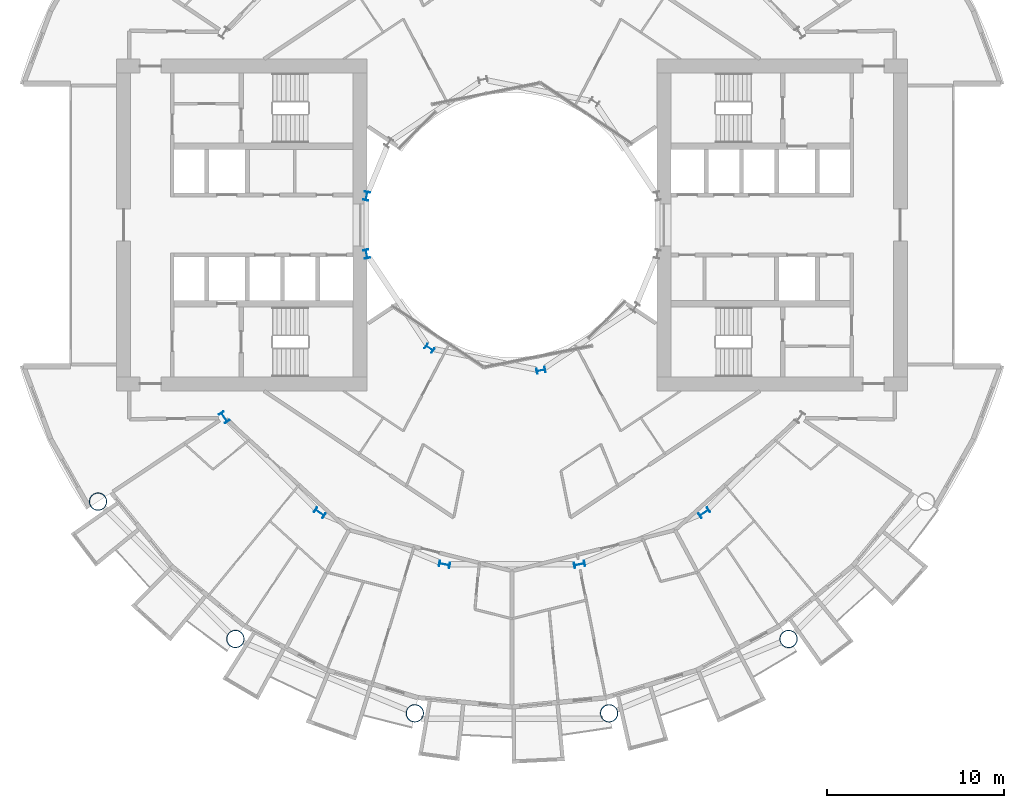
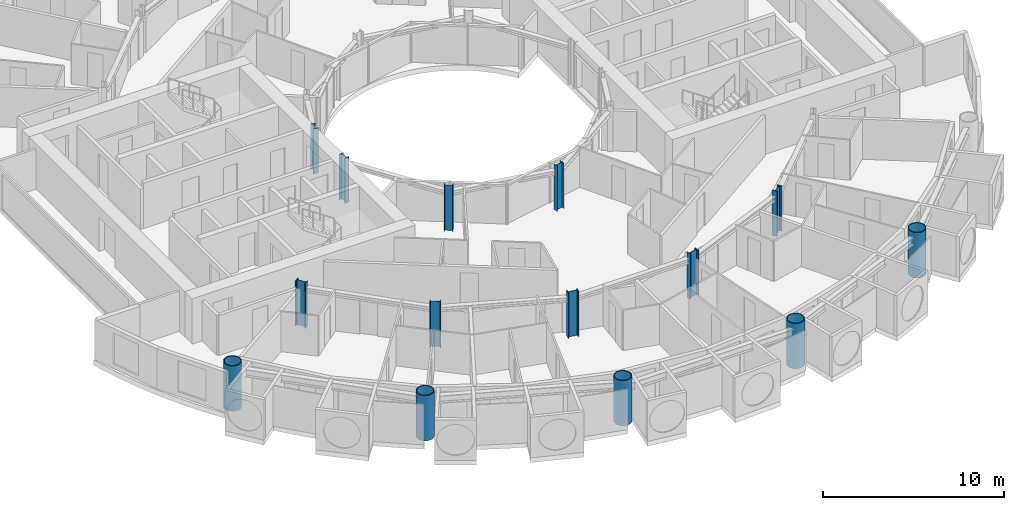
# One storey, part 1 of 26: 14 columns.
"""IFC4 building model written with IfcOpenShell, lengths in metres."""

from ifc_helpers import new_model, si_unit, direction, frame, origin, origin_2d, place, context, subcontext, project, spatial, hollow_circle, i_section, extrude, material, material_profile, profile_set, type_object, element, save


model = new_model("IFC4")

# Units and contexts
model_context = context("Model", 3, precision=1e-05, world=origin(), true_north=direction((0.0, 1.0)))
body_context = subcontext(model_context, "Body", "Model", "MODEL_VIEW")
ifc_project = project(units=[si_unit("LENGTHUNIT", "METRE"), si_unit("AREAUNIT", "SQUARE_METRE"), si_unit("VOLUMEUNIT", "CUBIC_METRE"), si_unit("PLANEANGLEUNIT", "RADIAN"), si_unit("MASSUNIT", "GRAM", prefix="KILO")], contexts=[model_context])

# Site, building, storey
site_placement = place(None, origin())
site = spatial("IfcSite", under=ifc_project, at=site_placement, CompositionType="ELEMENT")
building_placement = place(site_placement, origin())
building = spatial("IfcBuilding", under=site, at=building_placement, Name="Maasbend Ring Residences", CompositionType="ELEMENT")
storey_placement = place(building_placement, frame((0.0, 0.0, 28.89990234375)))
storey = spatial("IfcBuildingStorey", under=building, at=storey_placement, Name="L07", CompositionType="ELEMENT", Elevation=28.89990234375)

# Columns
ifc_material_1 = material(Name="Composite concrete-filled steel tube S460NH / C80/95", Category="concrete")
ifc_material_profile_1 = material_profile(ifc_material_1, hollow_circle(Radius=0.508056640625, WallThickness=0.050048828125, at=origin_2d()), Name="Composite tube column CHS 1016x50")
ifc_profile_set_1 = profile_set([ifc_material_profile_1], Name="Composite concrete-filled steel tube S460NH / C80/95")
column_type_1 = type_object("IfcColumnType", Name="Composite tube column CHS 1016x50", PredefinedType="COLUMN", material=ifc_profile_set_1)
for number, where, z_axis, x_axis, name in (
    (1, (-23.447509765625, -15.6669921875, 0.0), (0.0, 0.0, 1.0), (1.0, 0.0, 0.0), "Outer column R10"),
    (2, (-15.6669921875, -23.447509765625, 0.0), (0.0, 0.0, 1.0), (1.0, 0.0, 0.0), "Outer column R11"),
    (3, (-5.50146484375, -27.658203125, 0.0), (0.0, 0.0, 1.0), (1.0, 0.0, 0.0), "Outer column R12"),
    (4, (5.50146484375, -27.658203125, 0.0), (0.0, 0.0, 1.0), (1.0, 0.0, 0.0), "Outer column R13"),
    (5, (15.6669921875, -23.447509765625, 0.0), (0.0, 0.0, 1.0), (1.0, 0.0, 0.0), "Outer column R14"),
):
    element("IfcColumn", number, at=place(storey_placement, frame(where, z_axis=z_axis, x_axis=x_axis)), inside=storey, type_object=column_type_1, Name=name, PredefinedType="COLUMN", context=body_context, shape_type="SweptSolid", body=[
        extrude(hollow_circle(Radius=0.508056640625, WallThickness=0.050048828125, at=origin_2d()), origin(), (0.0, 0.0, 1.0), 3.050048828125),
    ])
ifc_material_2 = material(Name="Steel S355J2", Category="steel")
ifc_material_profile_2 = material_profile(ifc_material_2, i_section(OverallWidth=0.300048828125, OverallDepth=0.5, WebThickness=0.014404296875, FlangeThickness=0.028076171875, FilletRadius=0.027099609375, at=origin_2d()), Name="HEB 500")
ifc_profile_set_2 = profile_set([ifc_material_profile_2], Name="Steel S355J2")
column_type_2 = type_object("IfcColumnType", Name="Steel column HEB 500", PredefinedType="COLUMN", material=ifc_profile_set_2)
for number, where, z_axis, x_axis, name in (
    (6, (-8.238525390625, 1.638916015625, 0.0), (0.0, 0.0, 1.0), (-0.980785280403, 0.195090322016, 0.0), "Well ring column R8"),
    (7, (-8.238525390625, -1.638916015625, 0.0), (0.0, 0.0, 1.0), (-0.980785280403, -0.195090322016, 0.0), "Well ring column R9"),
    (8, (-4.666748046875, -6.984375, 0.0), (0.0, 0.0, 1.0), (-0.55557023302, -0.831469612303, 0.0), "Well ring column R11"),
    (9, (1.638916015625, -8.238525390625, 0.0), (0.0, 0.0, 1.0), (0.195090322016, -0.980785280403, 0.0), "Well ring column R13"),
):
    element("IfcColumn", number, at=place(storey_placement, frame(where, z_axis=z_axis, x_axis=x_axis)), inside=storey, type_object=column_type_2, Name=name, PredefinedType="COLUMN", context=body_context, shape_type="SweptSolid", body=[
        extrude(i_section(OverallWidth=0.300048828125, OverallDepth=0.5, WebThickness=0.014404296875, FlangeThickness=0.028076171875, FilletRadius=0.027099609375, at=origin_2d()), origin(), (0.0, 0.0, 1.0), 3.050048828125),
    ])
ifc_material_3 = material(Name="Steel S460M", Category="steel")
ifc_material_profile_3 = material_profile(ifc_material_3, i_section(OverallWidth=0.304931640625, OverallDepth=0.6201171875, WebThickness=0.02099609375, FlangeThickness=0.0400390625, FilletRadius=0.027099609375, at=origin_2d()), Name="HEM 600")
ifc_profile_set_3 = profile_set([ifc_material_profile_3], Name="Steel S460M")
column_type_3 = type_object("IfcColumnType", Name="Steel column HEM 600", PredefinedType="COLUMN", material=ifc_profile_set_3)
for number, where, z_axis, x_axis, name in (
    (10, (-16.296875, -10.88916015625, 0.0), (0.0, 0.0, 1.0), (-0.831469612303, -0.55557023302, 0.0), "Corridor ring column R10"),
    (11, (-10.88916015625, -16.296875, 0.0), (0.0, 0.0, 1.0), (-0.55557023302, -0.831469612303, 0.0), "Corridor ring column R11"),
    (12, (-3.82373046875, -19.223388671875, 0.0), (0.0, 0.0, 1.0), (-0.195090322016, -0.980785280403, 0.0), "Corridor ring column R12"),
    (13, (3.82373046875, -19.223388671875, 0.0), (0.0, 0.0, 1.0), (0.195090322016, -0.980785280403, 0.0), "Corridor ring column R13"),
    (14, (10.88916015625, -16.296875, 0.0), (0.0, 0.0, 1.0), (0.55557023302, -0.831469612303, 0.0), "Corridor ring column R14"),
):
    element("IfcColumn", number, at=place(storey_placement, frame(where, z_axis=z_axis, x_axis=x_axis)), inside=storey, type_object=column_type_3, Name=name, PredefinedType="COLUMN", context=body_context, shape_type="SweptSolid", body=[
        extrude(i_section(OverallWidth=0.304931640625, OverallDepth=0.6201171875, WebThickness=0.02099609375, FlangeThickness=0.0400390625, FilletRadius=0.027099609375, at=origin_2d()), origin(), (0.0, 0.0, 1.0), 3.050048828125),
    ])

save(model, "model.ifc")
